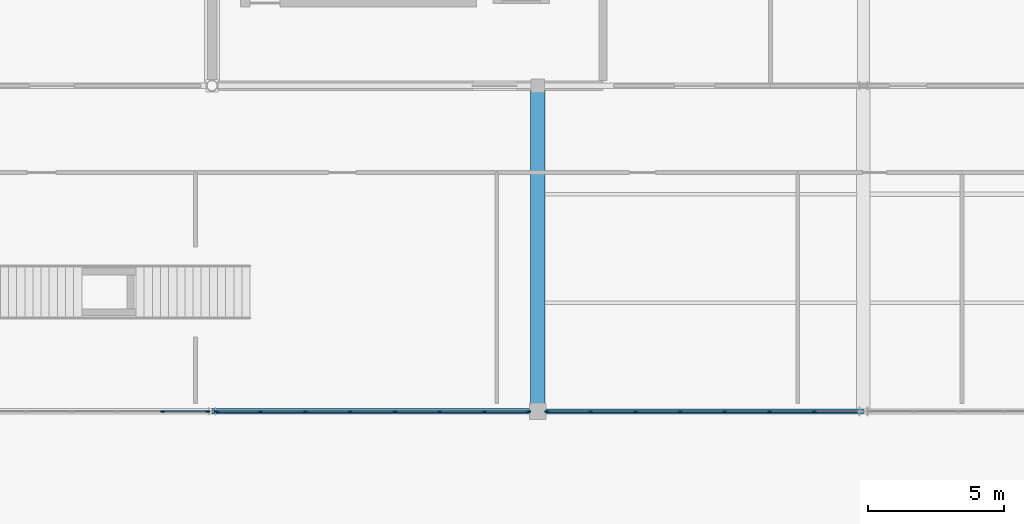
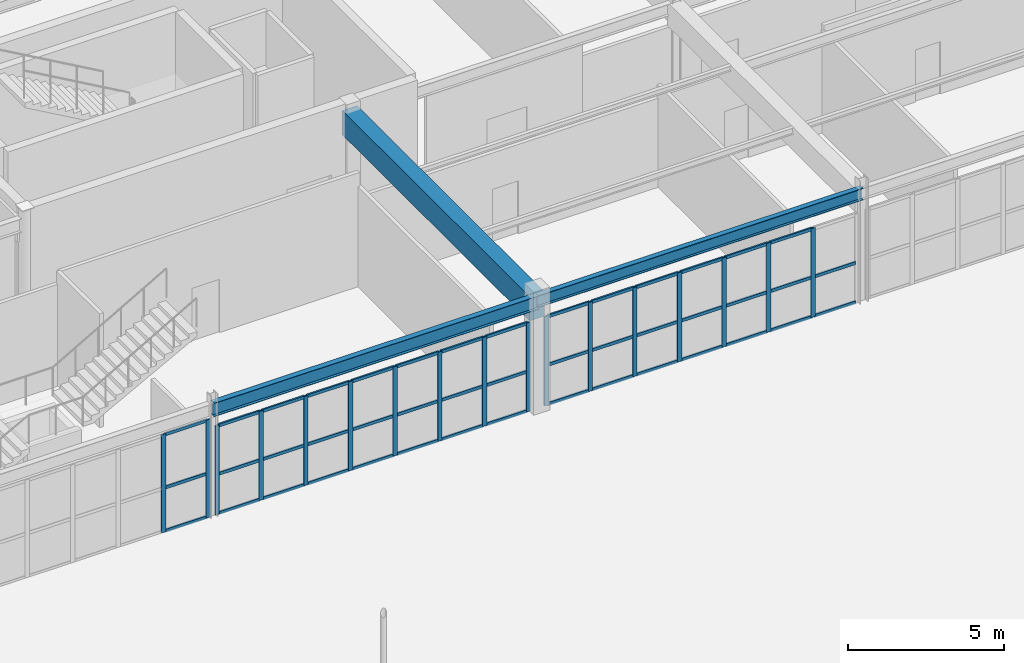
# One storey, part 103 of 199: 61 members, 3 beams, 3 elements without a shape of their own.
"""IFC4 building model written with IfcOpenShell, lengths in metres."""

from ifc_helpers import new_model, si_unit, direction, frame, origin, origin_2d, place, context, subcontext, project, spatial, rectangle, i_section, extrude, material, layer, layer_set, material_profile, profile_set, type_object, element, aggregate, save


model = new_model("IFC4")

# Units and contexts
model_context = context("Model", 3, precision=1e-05, world=origin(), true_north=direction((0.0, 1.0)))
body_context = subcontext(model_context, "Body", "Model", "MODEL_VIEW")
ifc_project = project(units=[si_unit("LENGTHUNIT", "METRE"), si_unit("AREAUNIT", "SQUARE_METRE"), si_unit("VOLUMEUNIT", "CUBIC_METRE"), si_unit("PLANEANGLEUNIT", "RADIAN"), si_unit("MASSUNIT", "GRAM", prefix="KILO")], contexts=[model_context])

# Site, building, storey
site_placement = place(None, origin())
site = spatial("IfcSite", under=ifc_project, at=site_placement, CompositionType="ELEMENT")
building_placement = place(site_placement, origin())
building = spatial("IfcBuilding", under=site, at=building_placement, Name="Tarnwether General Hospital", CompositionType="ELEMENT")
storey_placement = place(building_placement, origin())
storey = spatial("IfcBuildingStorey", under=building, at=storey_placement, Name="L00", CompositionType="ELEMENT", Elevation=0.0)

# Beams
ifc_material_1 = material(Name="Steel Grade 350 (350 MPa)", Category="steel")
ifc_material_profile_1 = material_profile(ifc_material_1, i_section(OverallWidth=0.208984375, OverallDepth=0.528076171875, WebThickness=0.009521484375, FlangeThickness=0.01318359375, at=origin_2d()), Name="530UB82.0")
ifc_profile_set_1 = profile_set([ifc_material_profile_1], Name="Steel Grade 350 (350 MPa)")
beam_type_1 = type_object("IfcBeamType", Name="BM-G07", PredefinedType="BEAM", material=ifc_profile_set_1)
beam_1_placement = place(storey_placement, frame((156.0, 81.60009765625, 4.180908203125), z_axis=(1.0, 0.0, 0.0), x_axis=(0.0, 1.0, 0.0)))
element("IfcBeam", 1, at=beam_1_placement, inside=storey, type_object=beam_type_1, Name="Primary Girder BMG-L00-15600_8160-16800_8160-0813", PredefinedType="BEAM", context=body_context, shape_type="SweptSolid", body=[
    extrude(i_section(OverallWidth=0.208984375, OverallDepth=0.528076171875, WebThickness=0.009521484375, FlangeThickness=0.01318359375, at=origin_2d()), origin(), (0.0, 0.0, 1.0), 12.0),
])
ifc_material_2 = material(Name="Steel Grade 350 (350 MPa)", Category="steel")
ifc_material_profile_2 = material_profile(ifc_material_2, i_section(OverallWidth=0.19091796875, OverallDepth=0.4599609375, WebThickness=0.010009765625, FlangeThickness=0.01611328125, at=origin_2d()), Name="460UB82.1")
ifc_profile_set_2 = profile_set([ifc_material_profile_2], Name="Steel Grade 350 (350 MPa)")
beam_type_2 = type_object("IfcBeamType", Name="BM-G08", PredefinedType="BEAM", material=ifc_profile_set_2)
beam_2_placement = place(storey_placement, frame((168.0, 81.60009765625, 4.215087890625), z_axis=(1.0, 0.0, 0.0), x_axis=(0.0, 1.0, 0.0)))
element("IfcBeam", 2, at=beam_2_placement, inside=storey, type_object=beam_type_2, Name="Primary Girder BMG-L00-16800_8160-18000_8160-0829", PredefinedType="BEAM", context=body_context, shape_type="SweptSolid", body=[
    extrude(i_section(OverallWidth=0.19091796875, OverallDepth=0.4599609375, WebThickness=0.010009765625, FlangeThickness=0.01611328125, at=origin_2d()), origin(), (0.0, 0.0, 1.0), 12.0),
])
ifc_material_3 = material(Name="Concrete 40 MPa", Category="concrete")
ifc_material_profile_3 = material_profile(ifc_material_3, rectangle(XDim=0.550048828125, YDim=0.949951171875, at=origin_2d()), Name="RC-BM-550x950")
ifc_profile_set_3 = profile_set([ifc_material_profile_3], Name="Concrete 40 MPa")
beam_type_3 = type_object("IfcBeamType", Name="BM-G11", PredefinedType="BEAM", material=ifc_profile_set_3)
beam_3_placement = place(storey_placement, frame((168.0, 81.60009765625, 3.969970703125), z_axis=(0.0, 1.0, 0.0), x_axis=(-1.0, 0.0, 0.0)))
element("IfcBeam", 3, at=beam_3_placement, inside=storey, type_object=beam_type_3, Name="Primary Girder BMG-L00-16800_8160-16800_9360-0830", PredefinedType="BEAM", context=body_context, shape_type="SweptSolid", body=[
    extrude(rectangle(XDim=0.550048828125, YDim=0.949951171875, at=origin_2d()), origin(), (0.0, 0.0, 1.0), 12.0),
])

# Curtain wall, members
ifc_material_4 = material(Name="Anodised aluminium", Category="aluminium")
ifc_layer = layer(ifc_material_4, 0.159912109375)
ifc_layer_set = layer_set([ifc_layer], Name="Anodised aluminium")
curtain_wall_type = type_object("IfcCurtainWallType", Name="CW-20", PredefinedType="NOTDEFINED", material=ifc_layer_set)
curtain_wall_1_placement = place(storey_placement, origin())
curtain_wall_1 = element("IfcCurtainWall", 4, at=curtain_wall_1_placement, inside=storey, type_object=curtain_wall_type, Name="Curtain Wall CWG-L00-1798_816-0291", PredefinedType="NOTDEFINED")
ifc_material_5 = material(Name="Anodised aluminium", Category="aluminium")
ifc_material_profile_4 = material_profile(ifc_material_5, rectangle(XDim=0.06005859375, YDim=0.159912109375, at=origin_2d()), Name="ALU-MUL-60x160")
ifc_profile_set_4 = profile_set([ifc_material_profile_4], Name="Anodised aluminium")
member_type_1 = type_object("IfcMemberType", Name="CW-ML1", PredefinedType="MULLION", material=ifc_profile_set_4)
member_1_placement = place(storey_placement, frame((178.185791015625, 81.60009765625, 0.0), z_axis=(0.0, 0.0, 1.0), x_axis=(0.0, -1.0, 0.0)))
member_1 = element("IfcMember", 5, at=member_1_placement, type_object=member_type_1, Name="CW-20 mullion 2", PredefinedType="MULLION", context=body_context, shape_type="SweptSolid", body=[
    extrude(rectangle(XDim=0.06005859375, YDim=0.159912109375, at=origin_2d()), origin(), (0.0, 0.0, 1.0), 3.47998046875),
])
member_2_placement = place(storey_placement, frame((176.539306640625, 81.60009765625, 0.0), z_axis=(0.0, 0.0, 1.0), x_axis=(0.0, -1.0, 0.0)))
member_2 = element("IfcMember", 6, at=member_2_placement, type_object=member_type_1, Name="CW-20 mullion 3", PredefinedType="MULLION", context=body_context, shape_type="SweptSolid", body=[
    extrude(rectangle(XDim=0.06005859375, YDim=0.159912109375, at=origin_2d()), origin(), (0.0, 0.0, 1.0), 3.47998046875),
])
member_3_placement = place(storey_placement, frame((174.89306640625, 81.60009765625, 0.0), z_axis=(0.0, 0.0, 1.0), x_axis=(0.0, -1.0, 0.0)))
member_3 = element("IfcMember", 7, at=member_3_placement, type_object=member_type_1, Name="CW-20 mullion 4", PredefinedType="MULLION", context=body_context, shape_type="SweptSolid", body=[
    extrude(rectangle(XDim=0.06005859375, YDim=0.159912109375, at=origin_2d()), origin(), (0.0, 0.0, 1.0), 3.47998046875),
])
member_4_placement = place(storey_placement, frame((173.246826171875, 81.60009765625, 0.0), z_axis=(0.0, 0.0, 1.0), x_axis=(0.0, -1.0, 0.0)))
member_4 = element("IfcMember", 8, at=member_4_placement, type_object=member_type_1, Name="CW-20 mullion 5", PredefinedType="MULLION", context=body_context, shape_type="SweptSolid", body=[
    extrude(rectangle(XDim=0.06005859375, YDim=0.159912109375, at=origin_2d()), origin(), (0.0, 0.0, 1.0), 3.47998046875),
])
member_5_placement = place(storey_placement, frame((171.6005859375, 81.60009765625, 0.0), z_axis=(0.0, 0.0, 1.0), x_axis=(0.0, -1.0, 0.0)))
member_5 = element("IfcMember", 9, at=member_5_placement, type_object=member_type_1, Name="CW-20 mullion 6", PredefinedType="MULLION", context=body_context, shape_type="SweptSolid", body=[
    extrude(rectangle(XDim=0.06005859375, YDim=0.159912109375, at=origin_2d()), origin(), (0.0, 0.0, 1.0), 3.47998046875),
])
member_6_placement = place(storey_placement, frame((169.954345703125, 81.60009765625, 0.0), z_axis=(0.0, 0.0, 1.0), x_axis=(0.0, -1.0, 0.0)))
member_6 = element("IfcMember", 10, at=member_6_placement, type_object=member_type_1, Name="CW-20 mullion 7", PredefinedType="MULLION", context=body_context, shape_type="SweptSolid", body=[
    extrude(rectangle(XDim=0.06005859375, YDim=0.159912109375, at=origin_2d()), origin(), (0.0, 0.0, 1.0), 3.47998046875),
])
member_7_placement = place(storey_placement, frame((168.337890625, 81.60009765625, 0.0), z_axis=(0.0, 0.0, 1.0), x_axis=(0.0, -1.0, 0.0)))
member_7 = element("IfcMember", 11, at=member_7_placement, type_object=member_type_1, Name="CW-20 mullion 8", PredefinedType="MULLION", context=body_context, shape_type="SweptSolid", body=[
    extrude(rectangle(XDim=0.06005859375, YDim=0.159912109375, at=origin_2d()), origin(), (0.0, 0.0, 1.0), 3.47998046875),
])

curtain_wall_2_placement = place(storey_placement, origin())
curtain_wall_2 = element("IfcCurtainWall", 12, at=curtain_wall_2_placement, inside=storey, type_object=curtain_wall_type, Name="Curtain Wall CWG-L00-1677_816-0292", PredefinedType="NOTDEFINED")
member_8_placement = place(storey_placement, frame((167.662109375, 81.60009765625, 0.0), z_axis=(0.0, 0.0, 1.0), x_axis=(0.0, -1.0, 0.0)))
member_8 = element("IfcMember", 13, at=member_8_placement, type_object=member_type_1, Name="CW-20 mullion 1", PredefinedType="MULLION", context=body_context, shape_type="SweptSolid", body=[
    extrude(rectangle(XDim=0.06005859375, YDim=0.159912109375, at=origin_2d()), origin(), (0.0, 0.0, 1.0), 3.47998046875),
])
member_9_placement = place(storey_placement, frame((166.04150390625, 81.60009765625, 0.0), z_axis=(0.0, 0.0, 1.0), x_axis=(0.0, -1.0, 0.0)))
member_9 = element("IfcMember", 14, at=member_9_placement, type_object=member_type_1, Name="CW-20 mullion 2", PredefinedType="MULLION", context=body_context, shape_type="SweptSolid", body=[
    extrude(rectangle(XDim=0.06005859375, YDim=0.159912109375, at=origin_2d()), origin(), (0.0, 0.0, 1.0), 3.47998046875),
])
member_10_placement = place(storey_placement, frame((164.390869140625, 81.60009765625, 0.0), z_axis=(0.0, 0.0, 1.0), x_axis=(0.0, -1.0, 0.0)))
member_10 = element("IfcMember", 15, at=member_10_placement, type_object=member_type_1, Name="CW-20 mullion 3", PredefinedType="MULLION", context=body_context, shape_type="SweptSolid", body=[
    extrude(rectangle(XDim=0.06005859375, YDim=0.159912109375, at=origin_2d()), origin(), (0.0, 0.0, 1.0), 3.47998046875),
])
member_11_placement = place(storey_placement, frame((162.740234375, 81.60009765625, 0.0), z_axis=(0.0, 0.0, 1.0), x_axis=(0.0, -1.0, 0.0)))
member_11 = element("IfcMember", 16, at=member_11_placement, type_object=member_type_1, Name="CW-20 mullion 4", PredefinedType="MULLION", context=body_context, shape_type="SweptSolid", body=[
    extrude(rectangle(XDim=0.06005859375, YDim=0.159912109375, at=origin_2d()), origin(), (0.0, 0.0, 1.0), 3.47998046875),
])
member_12_placement = place(storey_placement, frame((161.089599609375, 81.60009765625, 0.0), z_axis=(0.0, 0.0, 1.0), x_axis=(0.0, -1.0, 0.0)))
member_12 = element("IfcMember", 17, at=member_12_placement, type_object=member_type_1, Name="CW-20 mullion 5", PredefinedType="MULLION", context=body_context, shape_type="SweptSolid", body=[
    extrude(rectangle(XDim=0.06005859375, YDim=0.159912109375, at=origin_2d()), origin(), (0.0, 0.0, 1.0), 3.47998046875),
])
member_13_placement = place(storey_placement, frame((159.439208984375, 81.60009765625, 0.0), z_axis=(0.0, 0.0, 1.0), x_axis=(0.0, -1.0, 0.0)))
member_13 = element("IfcMember", 18, at=member_13_placement, type_object=member_type_1, Name="CW-20 mullion 6", PredefinedType="MULLION", context=body_context, shape_type="SweptSolid", body=[
    extrude(rectangle(XDim=0.06005859375, YDim=0.159912109375, at=origin_2d()), origin(), (0.0, 0.0, 1.0), 3.47998046875),
])
member_14_placement = place(storey_placement, frame((157.78857421875, 81.60009765625, 0.0), z_axis=(0.0, 0.0, 1.0), x_axis=(0.0, -1.0, 0.0)))
member_14 = element("IfcMember", 19, at=member_14_placement, type_object=member_type_1, Name="CW-20 mullion 7", PredefinedType="MULLION", context=body_context, shape_type="SweptSolid", body=[
    extrude(rectangle(XDim=0.06005859375, YDim=0.159912109375, at=origin_2d()), origin(), (0.0, 0.0, 1.0), 3.47998046875),
])
member_15_placement = place(storey_placement, frame((156.16796875, 81.60009765625, 0.0), z_axis=(0.0, 0.0, 1.0), x_axis=(0.0, -1.0, 0.0)))
member_15 = element("IfcMember", 20, at=member_15_placement, type_object=member_type_1, Name="CW-20 mullion 8", PredefinedType="MULLION", context=body_context, shape_type="SweptSolid", body=[
    extrude(rectangle(XDim=0.06005859375, YDim=0.159912109375, at=origin_2d()), origin(), (0.0, 0.0, 1.0), 3.47998046875),
])

curtain_wall_3_placement = place(storey_placement, origin())
curtain_wall_3 = element("IfcCurtainWall", 21, at=curtain_wall_3_placement, inside=storey, type_object=curtain_wall_type, Name="Curtain Wall CWG-L00-1559_816-0293", PredefinedType="NOTDEFINED")
member_16_placement = place(storey_placement, frame((155.83203125, 81.60009765625, 0.0), z_axis=(0.0, 0.0, 1.0), x_axis=(0.0, -1.0, 0.0)))
member_16 = element("IfcMember", 22, at=member_16_placement, type_object=member_type_1, Name="CW-20 mullion 1", PredefinedType="MULLION", context=body_context, shape_type="SweptSolid", body=[
    extrude(rectangle(XDim=0.06005859375, YDim=0.159912109375, at=origin_2d()), origin(), (0.0, 0.0, 1.0), 3.827880859375),
])
member_17_placement = place(storey_placement, frame((154.18310546875, 81.60009765625, 0.0), z_axis=(0.0, 0.0, 1.0), x_axis=(0.0, -1.0, 0.0)))
member_17 = element("IfcMember", 23, at=member_17_placement, type_object=member_type_1, Name="CW-20 mullion 2", PredefinedType="MULLION", context=body_context, shape_type="SweptSolid", body=[
    extrude(rectangle(XDim=0.06005859375, YDim=0.159912109375, at=origin_2d()), origin(), (0.0, 0.0, 1.0), 3.827880859375),
])

# Member
ifc_material_6 = material(Name="Anodised aluminium", Category="aluminium")
ifc_material_profile_5 = material_profile(ifc_material_6, rectangle(XDim=0.06005859375, YDim=0.1201171875, at=origin_2d()), Name="ALU-TRN-60x120")
ifc_profile_set_5 = profile_set([ifc_material_profile_5], Name="Anodised aluminium")
member_type_2 = type_object("IfcMemberType", Name="CW-TR1", PredefinedType="USERDEFINED", material=ifc_profile_set_5)
member_18_placement = place(storey_placement, frame((179.77197265625, 81.60009765625, 0.030029296875), z_axis=(-1.0, 0.0, 0.0), x_axis=(0.0, -1.0, 0.0)))
member_18 = element("IfcMember", 24, at=member_18_placement, type_object=member_type_2, Name="CW-20 transom 1.1", ObjectType="TRANSOM", PredefinedType="USERDEFINED", context=body_context, shape_type="SweptSolid", body=[
    extrude(rectangle(XDim=0.06005859375, YDim=0.1201171875, at=origin_2d()), origin(), (0.0, 0.0, 1.0), 1.55615234375),
])

member_19_placement = place(storey_placement, frame((179.77197265625, 81.60009765625, 1.56591796875), z_axis=(-1.0, 0.0, 0.0), x_axis=(0.0, -1.0, 0.0)))
member_19 = element("IfcMember", 25, at=member_19_placement, type_object=member_type_2, Name="CW-20 transom 1.2", ObjectType="TRANSOM", PredefinedType="USERDEFINED", context=body_context, shape_type="SweptSolid", body=[
    extrude(rectangle(XDim=0.06005859375, YDim=0.1201171875, at=origin_2d()), origin(), (0.0, 0.0, 1.0), 1.55615234375),
])

member_20_placement = place(storey_placement, frame((178.15576171875, 81.60009765625, 0.030029296875), z_axis=(-1.0, 0.0, 0.0), x_axis=(0.0, -1.0, 0.0)))
member_20 = element("IfcMember", 26, at=member_20_placement, type_object=member_type_2, Name="CW-20 transom 2.1", ObjectType="TRANSOM", PredefinedType="USERDEFINED", context=body_context, shape_type="SweptSolid", body=[
    extrude(rectangle(XDim=0.06005859375, YDim=0.1201171875, at=origin_2d()), origin(), (0.0, 0.0, 1.0), 1.58642578125),
])

member_21_placement = place(storey_placement, frame((178.15576171875, 81.60009765625, 1.56591796875), z_axis=(-1.0, 0.0, 0.0), x_axis=(0.0, -1.0, 0.0)))
member_21 = element("IfcMember", 27, at=member_21_placement, type_object=member_type_2, Name="CW-20 transom 2.2", ObjectType="TRANSOM", PredefinedType="USERDEFINED", context=body_context, shape_type="SweptSolid", body=[
    extrude(rectangle(XDim=0.06005859375, YDim=0.1201171875, at=origin_2d()), origin(), (0.0, 0.0, 1.0), 1.58642578125),
])

member_22_placement = place(storey_placement, frame((178.15576171875, 81.60009765625, 3.449951171875), z_axis=(-1.0, 0.0, 0.0), x_axis=(0.0, -1.0, 0.0)))
member_22 = element("IfcMember", 28, at=member_22_placement, type_object=member_type_2, Name="CW-20 transom 2.3", ObjectType="TRANSOM", PredefinedType="USERDEFINED", context=body_context, shape_type="SweptSolid", body=[
    extrude(rectangle(XDim=0.06005859375, YDim=0.1201171875, at=origin_2d()), origin(), (0.0, 0.0, 1.0), 1.58642578125),
])

member_23_placement = place(storey_placement, frame((176.509521484375, 81.60009765625, 0.030029296875), z_axis=(-1.0, 0.0, 0.0), x_axis=(0.0, -1.0, 0.0)))
member_23 = element("IfcMember", 29, at=member_23_placement, type_object=member_type_2, Name="CW-20 transom 3.1", ObjectType="TRANSOM", PredefinedType="USERDEFINED", context=body_context, shape_type="SweptSolid", body=[
    extrude(rectangle(XDim=0.06005859375, YDim=0.1201171875, at=origin_2d()), origin(), (0.0, 0.0, 1.0), 1.58642578125),
])

member_24_placement = place(storey_placement, frame((176.509521484375, 81.60009765625, 1.56591796875), z_axis=(-1.0, 0.0, 0.0), x_axis=(0.0, -1.0, 0.0)))
member_24 = element("IfcMember", 30, at=member_24_placement, type_object=member_type_2, Name="CW-20 transom 3.2", ObjectType="TRANSOM", PredefinedType="USERDEFINED", context=body_context, shape_type="SweptSolid", body=[
    extrude(rectangle(XDim=0.06005859375, YDim=0.1201171875, at=origin_2d()), origin(), (0.0, 0.0, 1.0), 1.58642578125),
])

member_25_placement = place(storey_placement, frame((176.509521484375, 81.60009765625, 3.449951171875), z_axis=(-1.0, 0.0, 0.0), x_axis=(0.0, -1.0, 0.0)))
member_25 = element("IfcMember", 31, at=member_25_placement, type_object=member_type_2, Name="CW-20 transom 3.3", ObjectType="TRANSOM", PredefinedType="USERDEFINED", context=body_context, shape_type="SweptSolid", body=[
    extrude(rectangle(XDim=0.06005859375, YDim=0.1201171875, at=origin_2d()), origin(), (0.0, 0.0, 1.0), 1.58642578125),
])

member_26_placement = place(storey_placement, frame((174.863037109375, 81.60009765625, 0.030029296875), z_axis=(-1.0, 0.0, 0.0), x_axis=(0.0, -1.0, 0.0)))
member_26 = element("IfcMember", 32, at=member_26_placement, type_object=member_type_2, Name="CW-20 transom 4.1", ObjectType="TRANSOM", PredefinedType="USERDEFINED", context=body_context, shape_type="SweptSolid", body=[
    extrude(rectangle(XDim=0.06005859375, YDim=0.1201171875, at=origin_2d()), origin(), (0.0, 0.0, 1.0), 1.586181640625),
])

member_27_placement = place(storey_placement, frame((174.863037109375, 81.60009765625, 1.56591796875), z_axis=(-1.0, 0.0, 0.0), x_axis=(0.0, -1.0, 0.0)))
member_27 = element("IfcMember", 33, at=member_27_placement, type_object=member_type_2, Name="CW-20 transom 4.2", ObjectType="TRANSOM", PredefinedType="USERDEFINED", context=body_context, shape_type="SweptSolid", body=[
    extrude(rectangle(XDim=0.06005859375, YDim=0.1201171875, at=origin_2d()), origin(), (0.0, 0.0, 1.0), 1.586181640625),
])

member_28_placement = place(storey_placement, frame((174.863037109375, 81.60009765625, 3.449951171875), z_axis=(-1.0, 0.0, 0.0), x_axis=(0.0, -1.0, 0.0)))
member_28 = element("IfcMember", 34, at=member_28_placement, type_object=member_type_2, Name="CW-20 transom 4.3", ObjectType="TRANSOM", PredefinedType="USERDEFINED", context=body_context, shape_type="SweptSolid", body=[
    extrude(rectangle(XDim=0.06005859375, YDim=0.1201171875, at=origin_2d()), origin(), (0.0, 0.0, 1.0), 1.586181640625),
])

member_29_placement = place(storey_placement, frame((173.216796875, 81.60009765625, 0.030029296875), z_axis=(-1.0, 0.0, 0.0), x_axis=(0.0, -1.0, 0.0)))
member_29 = element("IfcMember", 35, at=member_29_placement, type_object=member_type_2, Name="CW-20 transom 5.1", ObjectType="TRANSOM", PredefinedType="USERDEFINED", context=body_context, shape_type="SweptSolid", body=[
    extrude(rectangle(XDim=0.06005859375, YDim=0.1201171875, at=origin_2d()), origin(), (0.0, 0.0, 1.0), 1.586181640625),
])

member_30_placement = place(storey_placement, frame((173.216796875, 81.60009765625, 1.56591796875), z_axis=(-1.0, 0.0, 0.0), x_axis=(0.0, -1.0, 0.0)))
member_30 = element("IfcMember", 36, at=member_30_placement, type_object=member_type_2, Name="CW-20 transom 5.2", ObjectType="TRANSOM", PredefinedType="USERDEFINED", context=body_context, shape_type="SweptSolid", body=[
    extrude(rectangle(XDim=0.06005859375, YDim=0.1201171875, at=origin_2d()), origin(), (0.0, 0.0, 1.0), 1.586181640625),
])

member_31_placement = place(storey_placement, frame((173.216796875, 81.60009765625, 3.449951171875), z_axis=(-1.0, 0.0, 0.0), x_axis=(0.0, -1.0, 0.0)))
member_31 = element("IfcMember", 37, at=member_31_placement, type_object=member_type_2, Name="CW-20 transom 5.3", ObjectType="TRANSOM", PredefinedType="USERDEFINED", context=body_context, shape_type="SweptSolid", body=[
    extrude(rectangle(XDim=0.06005859375, YDim=0.1201171875, at=origin_2d()), origin(), (0.0, 0.0, 1.0), 1.586181640625),
])

member_32_placement = place(storey_placement, frame((171.570556640625, 81.60009765625, 0.030029296875), z_axis=(-1.0, 0.0, 0.0), x_axis=(0.0, -1.0, 0.0)))
member_32 = element("IfcMember", 38, at=member_32_placement, type_object=member_type_2, Name="CW-20 transom 6.1", ObjectType="TRANSOM", PredefinedType="USERDEFINED", context=body_context, shape_type="SweptSolid", body=[
    extrude(rectangle(XDim=0.06005859375, YDim=0.1201171875, at=origin_2d()), origin(), (0.0, 0.0, 1.0), 1.586181640625),
])

member_33_placement = place(storey_placement, frame((171.570556640625, 81.60009765625, 1.56591796875), z_axis=(-1.0, 0.0, 0.0), x_axis=(0.0, -1.0, 0.0)))
member_33 = element("IfcMember", 39, at=member_33_placement, type_object=member_type_2, Name="CW-20 transom 6.2", ObjectType="TRANSOM", PredefinedType="USERDEFINED", context=body_context, shape_type="SweptSolid", body=[
    extrude(rectangle(XDim=0.06005859375, YDim=0.1201171875, at=origin_2d()), origin(), (0.0, 0.0, 1.0), 1.586181640625),
])

member_34_placement = place(storey_placement, frame((171.570556640625, 81.60009765625, 3.449951171875), z_axis=(-1.0, 0.0, 0.0), x_axis=(0.0, -1.0, 0.0)))
member_34 = element("IfcMember", 40, at=member_34_placement, type_object=member_type_2, Name="CW-20 transom 6.3", ObjectType="TRANSOM", PredefinedType="USERDEFINED", context=body_context, shape_type="SweptSolid", body=[
    extrude(rectangle(XDim=0.06005859375, YDim=0.1201171875, at=origin_2d()), origin(), (0.0, 0.0, 1.0), 1.586181640625),
])

member_35_placement = place(storey_placement, frame((169.92431640625, 81.60009765625, 0.030029296875), z_axis=(-1.0, 0.0, 0.0), x_axis=(0.0, -1.0, 0.0)))
member_35 = element("IfcMember", 41, at=member_35_placement, type_object=member_type_2, Name="CW-20 transom 7.1", ObjectType="TRANSOM", PredefinedType="USERDEFINED", context=body_context, shape_type="SweptSolid", body=[
    extrude(rectangle(XDim=0.06005859375, YDim=0.1201171875, at=origin_2d()), origin(), (0.0, 0.0, 1.0), 1.556396484375),
])

member_36_placement = place(storey_placement, frame((169.92431640625, 81.60009765625, 1.56591796875), z_axis=(-1.0, 0.0, 0.0), x_axis=(0.0, -1.0, 0.0)))
member_36 = element("IfcMember", 42, at=member_36_placement, type_object=member_type_2, Name="CW-20 transom 7.2", ObjectType="TRANSOM", PredefinedType="USERDEFINED", context=body_context, shape_type="SweptSolid", body=[
    extrude(rectangle(XDim=0.06005859375, YDim=0.1201171875, at=origin_2d()), origin(), (0.0, 0.0, 1.0), 1.556396484375),
])

member_37_placement = place(storey_placement, frame((169.92431640625, 81.60009765625, 3.449951171875), z_axis=(-1.0, 0.0, 0.0), x_axis=(0.0, -1.0, 0.0)))
member_37 = element("IfcMember", 43, at=member_37_placement, type_object=member_type_2, Name="CW-20 transom 7.3", ObjectType="TRANSOM", PredefinedType="USERDEFINED", context=body_context, shape_type="SweptSolid", body=[
    extrude(rectangle(XDim=0.06005859375, YDim=0.1201171875, at=origin_2d()), origin(), (0.0, 0.0, 1.0), 1.556396484375),
])

aggregate(curtain_wall_1, [member_1, member_2, member_3, member_4, member_5, member_6, member_7, member_18, member_19, member_20, member_21, member_22, member_23, member_24, member_25, member_26, member_27, member_28, member_29, member_30, member_31, member_32, member_33, member_34, member_35, member_36, member_37])

member_38_placement = place(storey_placement, frame((167.632080078125, 81.60009765625, 0.030029296875), z_axis=(-1.0, 0.0, 0.0), x_axis=(0.0, -1.0, 0.0)))
member_38 = element("IfcMember", 44, at=member_38_placement, type_object=member_type_2, Name="CW-20 transom 1.1", ObjectType="TRANSOM", PredefinedType="USERDEFINED", context=body_context, shape_type="SweptSolid", body=[
    extrude(rectangle(XDim=0.06005859375, YDim=0.1201171875, at=origin_2d()), origin(), (0.0, 0.0, 1.0), 1.560546875),
])

member_39_placement = place(storey_placement, frame((167.632080078125, 81.60009765625, 1.56591796875), z_axis=(-1.0, 0.0, 0.0), x_axis=(0.0, -1.0, 0.0)))
member_39 = element("IfcMember", 45, at=member_39_placement, type_object=member_type_2, Name="CW-20 transom 1.2", ObjectType="TRANSOM", PredefinedType="USERDEFINED", context=body_context, shape_type="SweptSolid", body=[
    extrude(rectangle(XDim=0.06005859375, YDim=0.1201171875, at=origin_2d()), origin(), (0.0, 0.0, 1.0), 1.560546875),
])

member_40_placement = place(storey_placement, frame((167.632080078125, 81.60009765625, 3.449951171875), z_axis=(-1.0, 0.0, 0.0), x_axis=(0.0, -1.0, 0.0)))
member_40 = element("IfcMember", 46, at=member_40_placement, type_object=member_type_2, Name="CW-20 transom 1.3", ObjectType="TRANSOM", PredefinedType="USERDEFINED", context=body_context, shape_type="SweptSolid", body=[
    extrude(rectangle(XDim=0.06005859375, YDim=0.1201171875, at=origin_2d()), origin(), (0.0, 0.0, 1.0), 1.560546875),
])

member_41_placement = place(storey_placement, frame((166.011474609375, 81.60009765625, 0.030029296875), z_axis=(-1.0, 0.0, 0.0), x_axis=(0.0, -1.0, 0.0)))
member_41 = element("IfcMember", 47, at=member_41_placement, type_object=member_type_2, Name="CW-20 transom 2.1", ObjectType="TRANSOM", PredefinedType="USERDEFINED", context=body_context, shape_type="SweptSolid", body=[
    extrude(rectangle(XDim=0.06005859375, YDim=0.1201171875, at=origin_2d()), origin(), (0.0, 0.0, 1.0), 1.590576171875),
])

member_42_placement = place(storey_placement, frame((166.011474609375, 81.60009765625, 1.56591796875), z_axis=(-1.0, 0.0, 0.0), x_axis=(0.0, -1.0, 0.0)))
member_42 = element("IfcMember", 48, at=member_42_placement, type_object=member_type_2, Name="CW-20 transom 2.2", ObjectType="TRANSOM", PredefinedType="USERDEFINED", context=body_context, shape_type="SweptSolid", body=[
    extrude(rectangle(XDim=0.06005859375, YDim=0.1201171875, at=origin_2d()), origin(), (0.0, 0.0, 1.0), 1.590576171875),
])

member_43_placement = place(storey_placement, frame((166.011474609375, 81.60009765625, 3.449951171875), z_axis=(-1.0, 0.0, 0.0), x_axis=(0.0, -1.0, 0.0)))
member_43 = element("IfcMember", 49, at=member_43_placement, type_object=member_type_2, Name="CW-20 transom 2.3", ObjectType="TRANSOM", PredefinedType="USERDEFINED", context=body_context, shape_type="SweptSolid", body=[
    extrude(rectangle(XDim=0.06005859375, YDim=0.1201171875, at=origin_2d()), origin(), (0.0, 0.0, 1.0), 1.590576171875),
])

member_44_placement = place(storey_placement, frame((164.36083984375, 81.60009765625, 0.030029296875), z_axis=(-1.0, 0.0, 0.0), x_axis=(0.0, -1.0, 0.0)))
member_44 = element("IfcMember", 50, at=member_44_placement, type_object=member_type_2, Name="CW-20 transom 3.1", ObjectType="TRANSOM", PredefinedType="USERDEFINED", context=body_context, shape_type="SweptSolid", body=[
    extrude(rectangle(XDim=0.06005859375, YDim=0.1201171875, at=origin_2d()), origin(), (0.0, 0.0, 1.0), 1.590576171875),
])

member_45_placement = place(storey_placement, frame((164.36083984375, 81.60009765625, 1.56591796875), z_axis=(-1.0, 0.0, 0.0), x_axis=(0.0, -1.0, 0.0)))
member_45 = element("IfcMember", 51, at=member_45_placement, type_object=member_type_2, Name="CW-20 transom 3.2", ObjectType="TRANSOM", PredefinedType="USERDEFINED", context=body_context, shape_type="SweptSolid", body=[
    extrude(rectangle(XDim=0.06005859375, YDim=0.1201171875, at=origin_2d()), origin(), (0.0, 0.0, 1.0), 1.590576171875),
])

member_46_placement = place(storey_placement, frame((164.36083984375, 81.60009765625, 3.449951171875), z_axis=(-1.0, 0.0, 0.0), x_axis=(0.0, -1.0, 0.0)))
member_46 = element("IfcMember", 52, at=member_46_placement, type_object=member_type_2, Name="CW-20 transom 3.3", ObjectType="TRANSOM", PredefinedType="USERDEFINED", context=body_context, shape_type="SweptSolid", body=[
    extrude(rectangle(XDim=0.06005859375, YDim=0.1201171875, at=origin_2d()), origin(), (0.0, 0.0, 1.0), 1.590576171875),
])

member_47_placement = place(storey_placement, frame((162.710205078125, 81.60009765625, 0.030029296875), z_axis=(-1.0, 0.0, 0.0), x_axis=(0.0, -1.0, 0.0)))
member_47 = element("IfcMember", 53, at=member_47_placement, type_object=member_type_2, Name="CW-20 transom 4.1", ObjectType="TRANSOM", PredefinedType="USERDEFINED", context=body_context, shape_type="SweptSolid", body=[
    extrude(rectangle(XDim=0.06005859375, YDim=0.1201171875, at=origin_2d()), origin(), (0.0, 0.0, 1.0), 1.590576171875),
])

member_48_placement = place(storey_placement, frame((162.710205078125, 81.60009765625, 1.56591796875), z_axis=(-1.0, 0.0, 0.0), x_axis=(0.0, -1.0, 0.0)))
member_48 = element("IfcMember", 54, at=member_48_placement, type_object=member_type_2, Name="CW-20 transom 4.2", ObjectType="TRANSOM", PredefinedType="USERDEFINED", context=body_context, shape_type="SweptSolid", body=[
    extrude(rectangle(XDim=0.06005859375, YDim=0.1201171875, at=origin_2d()), origin(), (0.0, 0.0, 1.0), 1.590576171875),
])

member_49_placement = place(storey_placement, frame((162.710205078125, 81.60009765625, 3.449951171875), z_axis=(-1.0, 0.0, 0.0), x_axis=(0.0, -1.0, 0.0)))
member_49 = element("IfcMember", 55, at=member_49_placement, type_object=member_type_2, Name="CW-20 transom 4.3", ObjectType="TRANSOM", PredefinedType="USERDEFINED", context=body_context, shape_type="SweptSolid", body=[
    extrude(rectangle(XDim=0.06005859375, YDim=0.1201171875, at=origin_2d()), origin(), (0.0, 0.0, 1.0), 1.590576171875),
])

member_50_placement = place(storey_placement, frame((161.059814453125, 81.60009765625, 0.030029296875), z_axis=(-1.0, 0.0, 0.0), x_axis=(0.0, -1.0, 0.0)))
member_50 = element("IfcMember", 56, at=member_50_placement, type_object=member_type_2, Name="CW-20 transom 5.1", ObjectType="TRANSOM", PredefinedType="USERDEFINED", context=body_context, shape_type="SweptSolid", body=[
    extrude(rectangle(XDim=0.06005859375, YDim=0.1201171875, at=origin_2d()), origin(), (0.0, 0.0, 1.0), 1.590576171875),
])

member_51_placement = place(storey_placement, frame((161.059814453125, 81.60009765625, 1.56591796875), z_axis=(-1.0, 0.0, 0.0), x_axis=(0.0, -1.0, 0.0)))
member_51 = element("IfcMember", 57, at=member_51_placement, type_object=member_type_2, Name="CW-20 transom 5.2", ObjectType="TRANSOM", PredefinedType="USERDEFINED", context=body_context, shape_type="SweptSolid", body=[
    extrude(rectangle(XDim=0.06005859375, YDim=0.1201171875, at=origin_2d()), origin(), (0.0, 0.0, 1.0), 1.590576171875),
])

member_52_placement = place(storey_placement, frame((161.059814453125, 81.60009765625, 3.449951171875), z_axis=(-1.0, 0.0, 0.0), x_axis=(0.0, -1.0, 0.0)))
member_52 = element("IfcMember", 58, at=member_52_placement, type_object=member_type_2, Name="CW-20 transom 5.3", ObjectType="TRANSOM", PredefinedType="USERDEFINED", context=body_context, shape_type="SweptSolid", body=[
    extrude(rectangle(XDim=0.06005859375, YDim=0.1201171875, at=origin_2d()), origin(), (0.0, 0.0, 1.0), 1.590576171875),
])

member_53_placement = place(storey_placement, frame((159.4091796875, 81.60009765625, 0.030029296875), z_axis=(-1.0, 0.0, 0.0), x_axis=(0.0, -1.0, 0.0)))
member_53 = element("IfcMember", 59, at=member_53_placement, type_object=member_type_2, Name="CW-20 transom 6.1", ObjectType="TRANSOM", PredefinedType="USERDEFINED", context=body_context, shape_type="SweptSolid", body=[
    extrude(rectangle(XDim=0.06005859375, YDim=0.1201171875, at=origin_2d()), origin(), (0.0, 0.0, 1.0), 1.590576171875),
])

member_54_placement = place(storey_placement, frame((159.4091796875, 81.60009765625, 1.56591796875), z_axis=(-1.0, 0.0, 0.0), x_axis=(0.0, -1.0, 0.0)))
member_54 = element("IfcMember", 60, at=member_54_placement, type_object=member_type_2, Name="CW-20 transom 6.2", ObjectType="TRANSOM", PredefinedType="USERDEFINED", context=body_context, shape_type="SweptSolid", body=[
    extrude(rectangle(XDim=0.06005859375, YDim=0.1201171875, at=origin_2d()), origin(), (0.0, 0.0, 1.0), 1.590576171875),
])

member_55_placement = place(storey_placement, frame((159.4091796875, 81.60009765625, 3.449951171875), z_axis=(-1.0, 0.0, 0.0), x_axis=(0.0, -1.0, 0.0)))
member_55 = element("IfcMember", 61, at=member_55_placement, type_object=member_type_2, Name="CW-20 transom 6.3", ObjectType="TRANSOM", PredefinedType="USERDEFINED", context=body_context, shape_type="SweptSolid", body=[
    extrude(rectangle(XDim=0.06005859375, YDim=0.1201171875, at=origin_2d()), origin(), (0.0, 0.0, 1.0), 1.590576171875),
])

member_56_placement = place(storey_placement, frame((157.758544921875, 81.60009765625, 0.030029296875), z_axis=(-1.0, 0.0, 0.0), x_axis=(0.0, -1.0, 0.0)))
member_56 = element("IfcMember", 62, at=member_56_placement, type_object=member_type_2, Name="CW-20 transom 7.1", ObjectType="TRANSOM", PredefinedType="USERDEFINED", context=body_context, shape_type="SweptSolid", body=[
    extrude(rectangle(XDim=0.06005859375, YDim=0.1201171875, at=origin_2d()), origin(), (0.0, 0.0, 1.0), 1.560546875),
])

member_57_placement = place(storey_placement, frame((157.758544921875, 81.60009765625, 1.56591796875), z_axis=(-1.0, 0.0, 0.0), x_axis=(0.0, -1.0, 0.0)))
member_57 = element("IfcMember", 63, at=member_57_placement, type_object=member_type_2, Name="CW-20 transom 7.2", ObjectType="TRANSOM", PredefinedType="USERDEFINED", context=body_context, shape_type="SweptSolid", body=[
    extrude(rectangle(XDim=0.06005859375, YDim=0.1201171875, at=origin_2d()), origin(), (0.0, 0.0, 1.0), 1.560546875),
])

member_58_placement = place(storey_placement, frame((157.758544921875, 81.60009765625, 3.449951171875), z_axis=(-1.0, 0.0, 0.0), x_axis=(0.0, -1.0, 0.0)))
member_58 = element("IfcMember", 64, at=member_58_placement, type_object=member_type_2, Name="CW-20 transom 7.3", ObjectType="TRANSOM", PredefinedType="USERDEFINED", context=body_context, shape_type="SweptSolid", body=[
    extrude(rectangle(XDim=0.06005859375, YDim=0.1201171875, at=origin_2d()), origin(), (0.0, 0.0, 1.0), 1.560546875),
])

aggregate(curtain_wall_2, [member_8, member_9, member_10, member_11, member_12, member_13, member_14, member_15, member_38, member_39, member_40, member_41, member_42, member_43, member_44, member_45, member_46, member_47, member_48, member_49, member_50, member_51, member_52, member_53, member_54, member_55, member_56, member_57, member_58])

member_59_placement = place(storey_placement, frame((155.802001953125, 81.60009765625, 0.030029296875), z_axis=(-1.0, 0.0, 0.0), x_axis=(0.0, -1.0, 0.0)))
member_59 = element("IfcMember", 65, at=member_59_placement, type_object=member_type_2, Name="CW-20 transom 1.1", ObjectType="TRANSOM", PredefinedType="USERDEFINED", context=body_context, shape_type="SweptSolid", body=[
    extrude(rectangle(XDim=0.06005859375, YDim=0.1201171875, at=origin_2d()), origin(), (0.0, 0.0, 1.0), 1.589111328125),
])

member_60_placement = place(storey_placement, frame((155.802001953125, 81.60009765625, 1.72265625), z_axis=(-1.0, 0.0, 0.0), x_axis=(0.0, -1.0, 0.0)))
member_60 = element("IfcMember", 66, at=member_60_placement, type_object=member_type_2, Name="CW-20 transom 1.2", ObjectType="TRANSOM", PredefinedType="USERDEFINED", context=body_context, shape_type="SweptSolid", body=[
    extrude(rectangle(XDim=0.06005859375, YDim=0.1201171875, at=origin_2d()), origin(), (0.0, 0.0, 1.0), 1.589111328125),
])

member_61_placement = place(storey_placement, frame((155.802001953125, 81.60009765625, 3.798095703125), z_axis=(-1.0, 0.0, 0.0), x_axis=(0.0, -1.0, 0.0)))
member_61 = element("IfcMember", 67, at=member_61_placement, type_object=member_type_2, Name="CW-20 transom 1.3", ObjectType="TRANSOM", PredefinedType="USERDEFINED", context=body_context, shape_type="SweptSolid", body=[
    extrude(rectangle(XDim=0.06005859375, YDim=0.1201171875, at=origin_2d()), origin(), (0.0, 0.0, 1.0), 1.589111328125),
])

aggregate(curtain_wall_3, [member_16, member_17, member_59, member_60, member_61])

save(model, "model.ifc")
